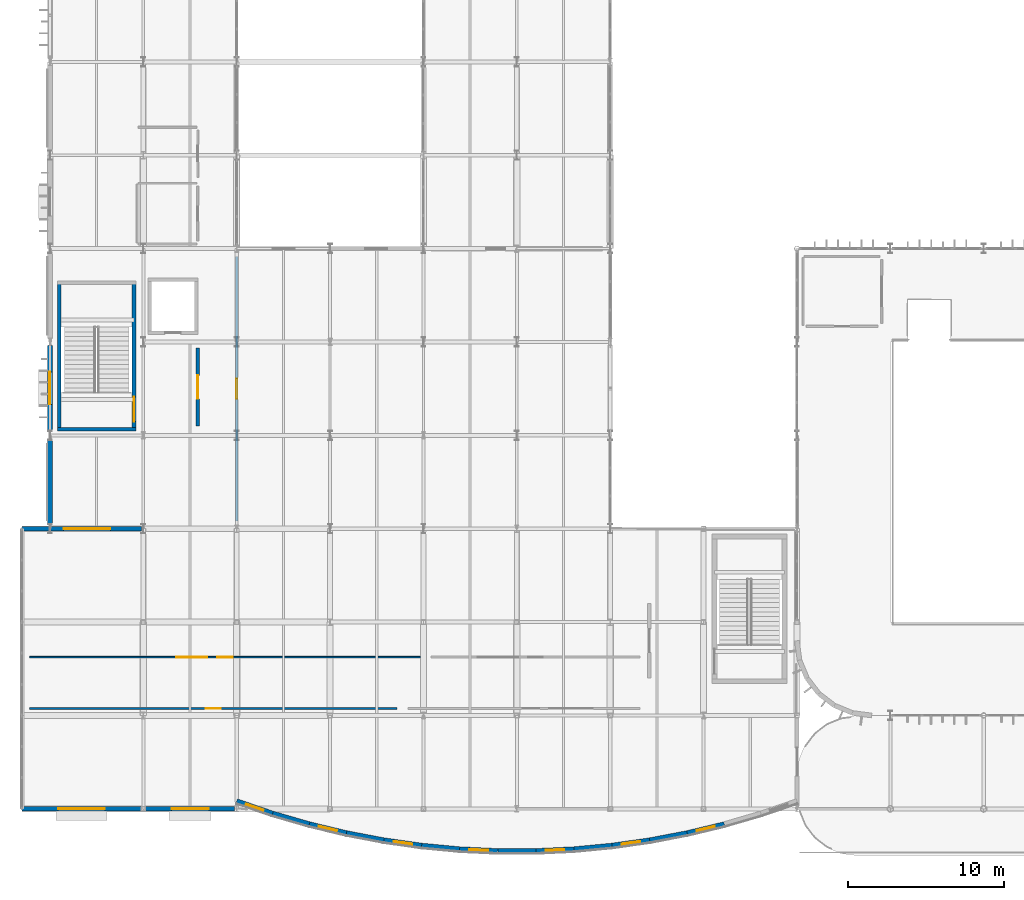
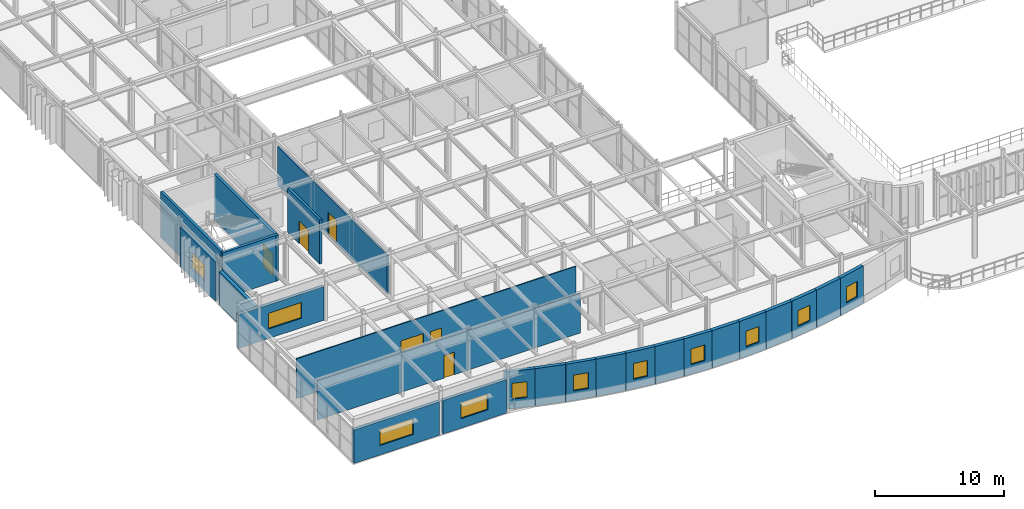
# One storey, part 62 of 96: 25 walls, 12 windows, 5 doors, 17 openings.
"""IFC4 building model written with IfcOpenShell, lengths in metres."""

from ifc_helpers import new_model, si_unit, direction, frame, frame_2d, origin, place, context, subcontext, project, spatial, rectangle, extrude, material, layer, layer_set, type_object, element, fill, save


model = new_model("IFC4")

# Units and contexts
model_context = context("Model", 3, precision=1e-05, world=origin(), true_north=direction((0.0, 1.0)))
body_context = subcontext(model_context, "Body", "Model", "MODEL_VIEW")
ifc_project = project(units=[si_unit("LENGTHUNIT", "METRE"), si_unit("AREAUNIT", "SQUARE_METRE"), si_unit("VOLUMEUNIT", "CUBIC_METRE"), si_unit("PLANEANGLEUNIT", "RADIAN"), si_unit("MASSUNIT", "GRAM", prefix="KILO")], contexts=[model_context])

# Site, building, storey
site_placement = place(None, origin())
site = spatial("IfcSite", under=ifc_project, at=site_placement, CompositionType="ELEMENT")
building_placement = place(site_placement, origin())
building = spatial("IfcBuilding", under=site, at=building_placement, Name="Varnakota Square Police Headquarters", CompositionType="ELEMENT")
storey_placement = place(building_placement, frame((0.0, 0.0, 4.800048828125)))
storey = spatial("IfcBuildingStorey", under=building, at=storey_placement, Name="L01", CompositionType="ELEMENT", Elevation=4.800048828125)

# Wall
ifc_material_1 = material(Name="Concrete M40", Category="concrete")
ifc_layer_1 = layer(ifc_material_1, 0.22998046875, Name="Concrete M40")
ifc_layer_set_1 = layer_set([ifc_layer_1], Name="Concrete M40")
wall_type_1 = type_object("IfcWallType", Name="WL-CORE-230", PredefinedType="SHEAR", material=ifc_layer_set_1)
wall_1_placement = place(storey_placement, frame((6.485107421875, 27.39990234375, 0.0), z_axis=(0.0, 0.0, 1.0), x_axis=(1.0, 0.0, 0.0)))
element("IfcWall", 1, at=wall_1_placement, inside=storey, type_object=wall_type_1, Name="Core C4 shear wall L01 S", PredefinedType="SHEAR", context=body_context, shape_type="SweptSolid", body=[
    extrude(rectangle(XDim=5.02978515625, YDim=0.22998046875, at=frame_2d((2.514892578125, 0.0))), origin(), (0.0, 0.0, 1.0), 4.35986328125),
])

# Wall, opening, door
wall_2_placement = place(storey_placement, frame((11.39990234375, 27.284912109375, 0.0), z_axis=(0.0, 0.0, 1.0), x_axis=(0.0, 1.0, 0.0)))
wall_2 = element("IfcWall", 2, at=wall_2_placement, inside=storey, type_object=wall_type_1, Name="Core C4 shear wall L01 E", PredefinedType="SHEAR", context=body_context, shape_type="SweptSolid", body=[
    extrude(rectangle(XDim=9.630126953125, YDim=0.22998046875, at=frame_2d((4.81494140625, 0.0))), origin(), (0.0, 0.0, 1.0), 4.35986328125),
])
opening_1_placement = place(wall_2_placement, frame((0.594970703125, 0.0, 0.0)))
opening_1 = element("IfcOpeningElement", 3, at=opening_1_placement, cuts=wall_2, Name="Opening SD066", PredefinedType="OPENING", context=body_context, shape_type="SweptSolid", body=[
    extrude(rectangle(XDim=1.60009765625, YDim=2.199951171875, at=frame_2d((0.800048828125, 1.10009765625))), frame((0.0, 0.125, 0.0), z_axis=(0.0, -1.0, 0.0), x_axis=(1.0, 0.0, 0.0)), (0.0, 0.0, 1.0), 0.25),
])
ifc_material_2 = material(Name="Powder-Coated Galvanised Steel", Category="steel")
door_type_1 = type_object("IfcDoorType", Name="DR-ST-160", OperationType="NOTDEFINED", PredefinedType="DOOR", material=ifc_material_2)
door_1_placement = place(opening_1_placement, origin())
door_1 = element("IfcDoor", 4, at=door_1_placement, inside=storey, type_object=door_type_1, Name="Protected stair door SD066", OperationType="DOUBLE_DOOR_SINGLE_SWING", OverallHeight=2.199951171875, OverallWidth=1.60009765625, PredefinedType="DOOR", context=body_context, shape_type="SweptSolid", body=[
    extrude(rectangle(XDim=1.60009765625, YDim=2.199951171875, at=frame_2d((0.800048828125, 1.10009765625))), frame((0.0, 0.02490234375, 0.0), z_axis=(0.0, -1.0, 0.0), x_axis=(1.0, 0.0, 0.0)), (0.0, 0.0, 1.0), 0.050048828125),
])
fill(opening_1, door_1)

# Wall
wall_3_placement = place(storey_placement, frame((6.60009765625, 36.9150390625, 0.0), z_axis=(0.0, 0.0, 1.0), x_axis=(0.0, -1.0, 0.0)))
element("IfcWall", 5, at=wall_3_placement, inside=storey, type_object=wall_type_1, Name="Core C4 shear wall L01 W", PredefinedType="SHEAR", context=body_context, shape_type="SweptSolid", body=[
    extrude(rectangle(XDim=9.630126953125, YDim=0.22998046875, at=frame_2d((4.81494140625, 0.0))), origin(), (0.0, 0.0, 1.0), 4.35986328125),
])

# Wall, opening, window
ifc_material_3 = material(Name="Precast concrete M40", Category="concrete")
ifc_layer_2 = layer(ifc_material_3, 0.300048828125, Name="Precast concrete M40")
ifc_layer_set_2 = layer_set([ifc_layer_2], Name="Precast concrete M40")
wall_type_2 = type_object("IfcWallType", Name="WL-EXT-300", PredefinedType="SOLIDWALL", material=ifc_layer_set_2)
wall_4_placement = place(storey_placement, frame((4.199951171875, 3.0, 0.0), z_axis=(0.0, 0.0, 1.0), x_axis=(1.0, 0.0, 0.0)))
wall_4 = element("IfcWall", 6, at=wall_4_placement, inside=storey, type_object=wall_type_2, Name="Exterior wall EW-L01-0088", PredefinedType="SOLIDWALL", context=body_context, shape_type="SweptSolid", body=[
    extrude(rectangle(XDim=7.64599609375, YDim=0.300048828125, at=frame_2d((3.822998046875, 0.0))), origin(), (0.0, 0.0, 1.0), 3.18994140625),
])
opening_2_placement = place(wall_4_placement, frame((2.322998046875, 0.0, 0.89990234375)))
opening_2 = element("IfcOpeningElement", 7, at=opening_2_placement, cuts=wall_4, Name="Opening W04", PredefinedType="OPENING", context=body_context, shape_type="SweptSolid", body=[
    extrude(rectangle(XDim=3.0, YDim=1.5, at=frame_2d((1.5, 0.75))), frame((0.0, 0.159912109375, 0.0), z_axis=(0.0, -1.0, 0.0), x_axis=(1.0, 0.0, 0.0)), (0.0, 0.0, 1.0), 0.320068359375),
])
ifc_material_4 = material(Name="Thermally Broken Aluminium Double-Glazed Window", Category="aluminium")
window_type_1 = type_object("IfcWindowType", Name="WIN-04", PartitioningType="SINGLE_PANEL", PredefinedType="WINDOW", material=ifc_material_4)
window_1_placement = place(opening_2_placement, origin())
window_1 = element("IfcWindow", 8, at=window_1_placement, inside=storey, type_object=window_type_1, Name="Window WN-L01-0001", OverallHeight=1.5, OverallWidth=3.0, PartitioningType="SINGLE_PANEL", PredefinedType="WINDOW", context=body_context, shape_type="SweptSolid", body=[
    extrude(rectangle(XDim=3.0, YDim=1.5, at=frame_2d((1.5, 0.75))), frame((0.0, 0.030029296875, 0.0), z_axis=(0.0, -1.0, 0.0), x_axis=(1.0, 0.0, 0.0)), (0.0, 0.0, 1.0), 0.06005859375),
])
fill(opening_2, window_1)

wall_5_placement = place(storey_placement, frame((12.154052734375, 3.0, 0.0), z_axis=(0.0, 0.0, 1.0), x_axis=(1.0, 0.0, 0.0)))
wall_5 = element("IfcWall", 9, at=wall_5_placement, inside=storey, type_object=wall_type_2, Name="Exterior wall EW-L01-0089", PredefinedType="SOLIDWALL", context=body_context, shape_type="SweptSolid", body=[
    extrude(rectangle(XDim=5.717041015625, YDim=0.300048828125, at=frame_2d((2.8583984375, 0.0))), origin(), (0.0, 0.0, 1.0), 3.18994140625),
])
opening_3_placement = place(wall_5_placement, frame((1.658447265625, 0.0, 0.89990234375)))
opening_3 = element("IfcOpeningElement", 10, at=opening_3_placement, cuts=wall_5, Name="Opening W02", PredefinedType="OPENING", context=body_context, shape_type="SweptSolid", body=[
    extrude(rectangle(XDim=2.39990234375, YDim=1.5, at=frame_2d((1.199951171875, 0.75))), frame((0.0, 0.159912109375, 0.0), z_axis=(0.0, -1.0, 0.0), x_axis=(1.0, 0.0, 0.0)), (0.0, 0.0, 1.0), 0.320068359375),
])
window_type_2 = type_object("IfcWindowType", Name="WIN-02", PartitioningType="SINGLE_PANEL", PredefinedType="WINDOW", material=ifc_material_4)
window_2_placement = place(opening_3_placement, origin())
window_2 = element("IfcWindow", 11, at=window_2_placement, inside=storey, type_object=window_type_2, Name="Window WN-L01-0002", OverallHeight=1.5, OverallWidth=2.39990234375, PartitioningType="SINGLE_PANEL", PredefinedType="WINDOW", context=body_context, shape_type="SweptSolid", body=[
    extrude(rectangle(XDim=2.39990234375, YDim=1.5, at=frame_2d((1.199951171875, 0.75))), frame((0.0, 0.030029296875, 0.0), z_axis=(0.0, -1.0, 0.0), x_axis=(1.0, 0.0, 0.0)), (0.0, 0.0, 1.0), 0.06005859375),
])
fill(opening_3, window_2)

wall_6_placement = place(storey_placement, frame((4.199951171875, 21.0, 0.0), z_axis=(0.0, 0.0, 1.0), x_axis=(1.0, 0.0, 0.0)))
wall_6 = element("IfcWall", 12, at=wall_6_placement, inside=storey, type_object=wall_type_2, Name="Exterior wall EW-L01-0090", PredefinedType="SOLIDWALL", context=body_context, shape_type="SweptSolid", body=[
    extrude(rectangle(XDim=7.671142578125, YDim=0.300048828125, at=frame_2d((3.83544921875, 0.0))), origin(), (0.0, 0.0, 1.0), 3.18994140625),
])
opening_4_placement = place(wall_6_placement, frame((2.685546875, 0.0, 0.89990234375)))
opening_4 = element("IfcOpeningElement", 13, at=opening_4_placement, cuts=wall_6, Name="Opening W04", PredefinedType="OPENING", context=body_context, shape_type="SweptSolid", body=[
    extrude(rectangle(XDim=3.0, YDim=1.5, at=frame_2d((1.5, 0.75))), frame((0.0, 0.159912109375, 0.0), z_axis=(0.0, -1.0, 0.0), x_axis=(1.0, 0.0, 0.0)), (0.0, 0.0, 1.0), 0.320068359375),
])
window_3_placement = place(opening_4_placement, origin())
window_3 = element("IfcWindow", 14, at=window_3_placement, inside=storey, type_object=window_type_1, Name="Window WN-L01-0003", OverallHeight=1.5, OverallWidth=3.0, PartitioningType="SINGLE_PANEL", PredefinedType="WINDOW", context=body_context, shape_type="SweptSolid", body=[
    extrude(rectangle(XDim=3.0, YDim=1.5, at=frame_2d((1.5, 0.75))), frame((0.0, 0.030029296875, 0.0), z_axis=(0.0, -1.0, 0.0), x_axis=(1.0, 0.0, 0.0)), (0.0, 0.0, 1.0), 0.06005859375),
])
fill(opening_4, window_3)

wall_7_placement = place(storey_placement, frame((18.0, 3.5, 0.0), z_axis=(0.0, 0.0, 1.0), x_axis=(0.946091693708, -0.323898914937, 0.0)))
wall_7 = element("IfcWall", 15, at=wall_7_placement, inside=storey, type_object=wall_type_2, Name="Sweeping colonnade precast chord wall 01", PredefinedType="SOLIDWALL", context=body_context, shape_type="SweptSolid", body=[
    extrude(rectangle(XDim=2.450439453125, YDim=0.300048828125, at=frame_2d((1.22509765625, 0.0))), origin(), (0.0, 0.0, 1.0), 3.550048828125),
])
opening_5_placement = place(wall_7_placement, frame((0.625244140625, 0.0, 0.89990234375)))
opening_5 = element("IfcOpeningElement", 16, at=opening_5_placement, cuts=wall_7, Name="Opening W03", PredefinedType="OPENING", context=body_context, shape_type="SweptSolid", body=[
    extrude(rectangle(XDim=1.199951171875, YDim=1.5, at=frame_2d((0.60009765625, 0.75))), frame((0.0, 0.159912109375, 0.0), z_axis=(0.0, -1.0, 0.0), x_axis=(1.0, 0.0, 0.0)), (0.0, 0.0, 1.0), 0.320068359375),
])
window_type_3 = type_object("IfcWindowType", Name="WIN-03", PartitioningType="SINGLE_PANEL", PredefinedType="WINDOW", material=ifc_material_4)
window_4_placement = place(opening_5_placement, origin())
window_4 = element("IfcWindow", 17, at=window_4_placement, inside=storey, type_object=window_type_3, Name="Colonnade curve window 01", OverallHeight=1.5, OverallWidth=1.199951171875, PartitioningType="SINGLE_PANEL", PredefinedType="WINDOW", context=body_context, shape_type="SweptSolid", body=[
    extrude(rectangle(XDim=1.199951171875, YDim=1.5, at=frame_2d((0.60009765625, 0.75))), frame((0.0, 0.030029296875, 0.0), z_axis=(0.0, -1.0, 0.0), x_axis=(1.0, 0.0, 0.0)), (0.0, 0.0, 1.0), 0.06005859375),
])
fill(opening_5, window_4)

# Wall
wall_8_placement = place(storey_placement, frame((20.318359375, 2.706298828125, 0.0), z_axis=(0.0, 0.0, 1.0), x_axis=(0.960269600698, -0.279073993728, 0.0)))
element("IfcWall", 18, at=wall_8_placement, inside=storey, type_object=wall_type_2, Name="Sweeping colonnade precast chord wall 02", PredefinedType="SOLIDWALL", context=body_context, shape_type="SweptSolid", body=[
    extrude(rectangle(XDim=2.450439453125, YDim=0.300048828125, at=frame_2d((1.22509765625, 0.0))), origin(), (0.0, 0.0, 1.0), 3.550048828125),
])

# Wall, opening, window
wall_9_placement = place(storey_placement, frame((22.67138671875, 2.0224609375, 0.0), z_axis=(0.0, 0.0, 1.0), x_axis=(0.97235111742, -0.233523670003, 0.0)))
wall_9 = element("IfcWall", 19, at=wall_9_placement, inside=storey, type_object=wall_type_2, Name="Sweeping colonnade precast chord wall 03", PredefinedType="SOLIDWALL", context=body_context, shape_type="SweptSolid", body=[
    extrude(rectangle(XDim=2.45068359375, YDim=0.300048828125, at=frame_2d((1.225341796875, 0.0))), origin(), (0.0, 0.0, 1.0), 3.550048828125),
])
opening_6_placement = place(wall_9_placement, frame((0.625244140625, 0.0, 0.89990234375)))
opening_6 = element("IfcOpeningElement", 20, at=opening_6_placement, cuts=wall_9, Name="Opening W03", PredefinedType="OPENING", context=body_context, shape_type="SweptSolid", body=[
    extrude(rectangle(XDim=1.199951171875, YDim=1.5, at=frame_2d((0.60009765625, 0.75))), frame((0.0, 0.159912109375, 0.0), z_axis=(0.0, -1.0, 0.0), x_axis=(1.0, 0.0, 0.0)), (0.0, 0.0, 1.0), 0.320068359375),
])
window_5_placement = place(opening_6_placement, origin())
window_5 = element("IfcWindow", 21, at=window_5_placement, inside=storey, type_object=window_type_3, Name="Colonnade curve window 03", OverallHeight=1.5, OverallWidth=1.199951171875, PartitioningType="SINGLE_PANEL", PredefinedType="WINDOW", context=body_context, shape_type="SweptSolid", body=[
    extrude(rectangle(XDim=1.199951171875, YDim=1.5, at=frame_2d((0.60009765625, 0.75))), frame((0.0, 0.030029296875, 0.0), z_axis=(0.0, -1.0, 0.0), x_axis=(1.0, 0.0, 0.0)), (0.0, 0.0, 1.0), 0.06005859375),
])
fill(opening_6, window_5)

# Wall
wall_10_placement = place(storey_placement, frame((25.05419921875, 1.4501953125, 0.0), z_axis=(0.0, 0.0, 1.0), x_axis=(0.982300174351, -0.187313553888, 0.0)))
element("IfcWall", 22, at=wall_10_placement, inside=storey, type_object=wall_type_2, Name="Sweeping colonnade precast chord wall 04", PredefinedType="SOLIDWALL", context=body_context, shape_type="SweptSolid", body=[
    extrude(rectangle(XDim=2.450439453125, YDim=0.300048828125, at=frame_2d((1.22509765625, 0.0))), origin(), (0.0, 0.0, 1.0), 3.550048828125),
])

# Wall, opening, window
wall_11_placement = place(storey_placement, frame((27.461181640625, 0.9912109375, 0.0), z_axis=(0.0, 0.0, 1.0), x_axis=(0.990015135316, -0.14096110047, 0.0)))
wall_11 = element("IfcWall", 23, at=wall_11_placement, inside=storey, type_object=wall_type_2, Name="Sweeping colonnade precast chord wall 05", PredefinedType="SOLIDWALL", context=body_context, shape_type="SweptSolid", body=[
    extrude(rectangle(XDim=2.45068359375, YDim=0.300048828125, at=frame_2d((1.225341796875, 0.0))), origin(), (0.0, 0.0, 1.0), 3.550048828125),
])
opening_7_placement = place(wall_11_placement, frame((0.625244140625, 0.0, 0.89990234375)))
opening_7 = element("IfcOpeningElement", 24, at=opening_7_placement, cuts=wall_11, Name="Opening W03", PredefinedType="OPENING", context=body_context, shape_type="SweptSolid", body=[
    extrude(rectangle(XDim=1.199951171875, YDim=1.5, at=frame_2d((0.60009765625, 0.75))), frame((0.0, 0.159912109375, 0.0), z_axis=(0.0, -1.0, 0.0), x_axis=(1.0, 0.0, 0.0)), (0.0, 0.0, 1.0), 0.320068359375),
])
window_6_placement = place(opening_7_placement, origin())
window_6 = element("IfcWindow", 25, at=window_6_placement, inside=storey, type_object=window_type_3, Name="Colonnade curve window 05", OverallHeight=1.5, OverallWidth=1.199951171875, PartitioningType="SINGLE_PANEL", PredefinedType="WINDOW", context=body_context, shape_type="SweptSolid", body=[
    extrude(rectangle(XDim=1.199951171875, YDim=1.5, at=frame_2d((0.60009765625, 0.75))), frame((0.0, 0.030029296875, 0.0), z_axis=(0.0, -1.0, 0.0), x_axis=(1.0, 0.0, 0.0)), (0.0, 0.0, 1.0), 0.06005859375),
])
fill(opening_7, window_6)

# Wall
wall_12_placement = place(storey_placement, frame((29.887451171875, 0.645751953125, 0.0), z_axis=(0.0, 0.0, 1.0), x_axis=(0.995557502229, -0.094155508367, 0.0)))
element("IfcWall", 26, at=wall_12_placement, inside=storey, type_object=wall_type_2, Name="Sweeping colonnade precast chord wall 06", PredefinedType="SOLIDWALL", context=body_context, shape_type="SweptSolid", body=[
    extrude(rectangle(XDim=2.450439453125, YDim=0.300048828125, at=frame_2d((1.22509765625, 0.0))), origin(), (0.0, 0.0, 1.0), 3.550048828125),
])

# Wall, opening, window
wall_13_placement = place(storey_placement, frame((32.326904296875, 0.4150390625, 0.0), z_axis=(0.0, 0.0, 1.0), x_axis=(0.998893908761, -0.047020836236, 0.0)))
wall_13 = element("IfcWall", 27, at=wall_13_placement, inside=storey, type_object=wall_type_2, Name="Sweeping colonnade precast chord wall 07", PredefinedType="SOLIDWALL", context=body_context, shape_type="SweptSolid", body=[
    extrude(rectangle(XDim=2.45068359375, YDim=0.300048828125, at=frame_2d((1.225341796875, 0.0))), origin(), (0.0, 0.0, 1.0), 3.550048828125),
])
opening_8_placement = place(wall_13_placement, frame((0.625244140625, 0.0, 0.89990234375)))
opening_8 = element("IfcOpeningElement", 28, at=opening_8_placement, cuts=wall_13, Name="Opening W03", PredefinedType="OPENING", context=body_context, shape_type="SweptSolid", body=[
    extrude(rectangle(XDim=1.199951171875, YDim=1.5, at=frame_2d((0.60009765625, 0.75))), frame((0.0, 0.159912109375, 0.0), z_axis=(0.0, -1.0, 0.0), x_axis=(1.0, 0.0, 0.0)), (0.0, 0.0, 1.0), 0.320068359375),
])
window_7_placement = place(opening_8_placement, origin())
window_7 = element("IfcWindow", 29, at=window_7_placement, inside=storey, type_object=window_type_3, Name="Colonnade curve window 07", OverallHeight=1.5, OverallWidth=1.199951171875, PartitioningType="SINGLE_PANEL", PredefinedType="WINDOW", context=body_context, shape_type="SweptSolid", body=[
    extrude(rectangle(XDim=1.199951171875, YDim=1.5, at=frame_2d((0.60009765625, 0.75))), frame((0.0, 0.030029296875, 0.0), z_axis=(0.0, -1.0, 0.0), x_axis=(1.0, 0.0, 0.0)), (0.0, 0.0, 1.0), 0.06005859375),
])
fill(opening_8, window_7)

# Wall
wall_14_placement = place(storey_placement, frame((34.77490234375, 0.2998046875, 0.0), z_axis=(0.0, 0.0, 1.0), x_axis=(1.0, 0.0, 0.0)))
element("IfcWall", 30, at=wall_14_placement, inside=storey, type_object=wall_type_2, Name="Sweeping colonnade precast chord wall 08", PredefinedType="SOLIDWALL", context=body_context, shape_type="SweptSolid", body=[
    extrude(rectangle(XDim=2.4501953125, YDim=0.300048828125, at=frame_2d((1.22509765625, 0.0))), origin(), (0.0, 0.0, 1.0), 3.550048828125),
])

# Wall, opening, window
wall_15_placement = place(storey_placement, frame((37.22509765625, 0.2998046875, 0.0), z_axis=(0.0, 0.0, 1.0), x_axis=(0.998893908761, 0.047020836236, 0.0)))
wall_15 = element("IfcWall", 31, at=wall_15_placement, inside=storey, type_object=wall_type_2, Name="Sweeping colonnade precast chord wall 09", PredefinedType="SOLIDWALL", context=body_context, shape_type="SweptSolid", body=[
    extrude(rectangle(XDim=2.45068359375, YDim=0.300048828125, at=frame_2d((1.225341796875, 0.0))), origin(), (0.0, 0.0, 1.0), 3.550048828125),
])
opening_9_placement = place(wall_15_placement, frame((0.625244140625, 0.0, 0.89990234375)))
opening_9 = element("IfcOpeningElement", 32, at=opening_9_placement, cuts=wall_15, Name="Opening W03", PredefinedType="OPENING", context=body_context, shape_type="SweptSolid", body=[
    extrude(rectangle(XDim=1.199951171875, YDim=1.5, at=frame_2d((0.60009765625, 0.75))), frame((0.0, 0.159912109375, 0.0), z_axis=(0.0, -1.0, 0.0), x_axis=(1.0, 0.0, 0.0)), (0.0, 0.0, 1.0), 0.320068359375),
])
window_8_placement = place(opening_9_placement, origin())
window_8 = element("IfcWindow", 33, at=window_8_placement, inside=storey, type_object=window_type_3, Name="Colonnade curve window 09", OverallHeight=1.5, OverallWidth=1.199951171875, PartitioningType="SINGLE_PANEL", PredefinedType="WINDOW", context=body_context, shape_type="SweptSolid", body=[
    extrude(rectangle(XDim=1.199951171875, YDim=1.5, at=frame_2d((0.60009765625, 0.75))), frame((0.0, 0.030029296875, 0.0), z_axis=(0.0, -1.0, 0.0), x_axis=(1.0, 0.0, 0.0)), (0.0, 0.0, 1.0), 0.06005859375),
])
fill(opening_9, window_8)

# Wall
wall_16_placement = place(storey_placement, frame((39.673095703125, 0.4150390625, 0.0), z_axis=(0.0, 0.0, 1.0), x_axis=(0.995557502229, 0.094155508367, 0.0)))
element("IfcWall", 34, at=wall_16_placement, inside=storey, type_object=wall_type_2, Name="Sweeping colonnade precast chord wall 10", PredefinedType="SOLIDWALL", context=body_context, shape_type="SweptSolid", body=[
    extrude(rectangle(XDim=2.450439453125, YDim=0.300048828125, at=frame_2d((1.22509765625, 0.0))), origin(), (0.0, 0.0, 1.0), 3.550048828125),
])

# Wall, opening, window
wall_17_placement = place(storey_placement, frame((42.112548828125, 0.645751953125, 0.0), z_axis=(0.0, 0.0, 1.0), x_axis=(0.990015135316, 0.14096110047, 0.0)))
wall_17 = element("IfcWall", 35, at=wall_17_placement, inside=storey, type_object=wall_type_2, Name="Sweeping colonnade precast chord wall 11", PredefinedType="SOLIDWALL", context=body_context, shape_type="SweptSolid", body=[
    extrude(rectangle(XDim=2.45068359375, YDim=0.300048828125, at=frame_2d((1.225341796875, 0.0))), origin(), (0.0, 0.0, 1.0), 3.550048828125),
])
opening_10_placement = place(wall_17_placement, frame((0.625244140625, 0.0, 0.89990234375)))
opening_10 = element("IfcOpeningElement", 36, at=opening_10_placement, cuts=wall_17, Name="Opening W03", PredefinedType="OPENING", context=body_context, shape_type="SweptSolid", body=[
    extrude(rectangle(XDim=1.199951171875, YDim=1.5, at=frame_2d((0.60009765625, 0.75))), frame((0.0, 0.159912109375, 0.0), z_axis=(0.0, -1.0, 0.0), x_axis=(1.0, 0.0, 0.0)), (0.0, 0.0, 1.0), 0.320068359375),
])
window_9_placement = place(opening_10_placement, origin())
window_9 = element("IfcWindow", 37, at=window_9_placement, inside=storey, type_object=window_type_3, Name="Colonnade curve window 11", OverallHeight=1.5, OverallWidth=1.199951171875, PartitioningType="SINGLE_PANEL", PredefinedType="WINDOW", context=body_context, shape_type="SweptSolid", body=[
    extrude(rectangle(XDim=1.199951171875, YDim=1.5, at=frame_2d((0.60009765625, 0.75))), frame((0.0, 0.030029296875, 0.0), z_axis=(0.0, -1.0, 0.0), x_axis=(1.0, 0.0, 0.0)), (0.0, 0.0, 1.0), 0.06005859375),
])
fill(opening_10, window_9)

# Wall
wall_18_placement = place(storey_placement, frame((44.538818359375, 0.9912109375, 0.0), z_axis=(0.0, 0.0, 1.0), x_axis=(0.982300174351, 0.187313553888, 0.0)))
element("IfcWall", 38, at=wall_18_placement, inside=storey, type_object=wall_type_2, Name="Sweeping colonnade precast chord wall 12", PredefinedType="SOLIDWALL", context=body_context, shape_type="SweptSolid", body=[
    extrude(rectangle(XDim=2.450439453125, YDim=0.300048828125, at=frame_2d((1.22509765625, 0.0))), origin(), (0.0, 0.0, 1.0), 3.550048828125),
])

# Wall, opening, window
wall_19_placement = place(storey_placement, frame((46.94580078125, 1.4501953125, 0.0), z_axis=(0.0, 0.0, 1.0), x_axis=(0.97235111742, 0.233523670003, 0.0)))
wall_19 = element("IfcWall", 39, at=wall_19_placement, inside=storey, type_object=wall_type_2, Name="Sweeping colonnade precast chord wall 13", PredefinedType="SOLIDWALL", context=body_context, shape_type="SweptSolid", body=[
    extrude(rectangle(XDim=2.45068359375, YDim=0.300048828125, at=frame_2d((1.225341796875, 0.0))), origin(), (0.0, 0.0, 1.0), 3.550048828125),
])
opening_11_placement = place(wall_19_placement, frame((0.625244140625, 0.0, 0.89990234375)))
opening_11 = element("IfcOpeningElement", 40, at=opening_11_placement, cuts=wall_19, Name="Opening W03", PredefinedType="OPENING", context=body_context, shape_type="SweptSolid", body=[
    extrude(rectangle(XDim=1.199951171875, YDim=1.5, at=frame_2d((0.60009765625, 0.75))), frame((0.0, 0.159912109375, 0.0), z_axis=(0.0, -1.0, 0.0), x_axis=(1.0, 0.0, 0.0)), (0.0, 0.0, 1.0), 0.320068359375),
])
window_10_placement = place(opening_11_placement, origin())
window_10 = element("IfcWindow", 41, at=window_10_placement, inside=storey, type_object=window_type_3, Name="Colonnade curve window 13", OverallHeight=1.5, OverallWidth=1.199951171875, PartitioningType="SINGLE_PANEL", PredefinedType="WINDOW", context=body_context, shape_type="SweptSolid", body=[
    extrude(rectangle(XDim=1.199951171875, YDim=1.5, at=frame_2d((0.60009765625, 0.75))), frame((0.0, 0.030029296875, 0.0), z_axis=(0.0, -1.0, 0.0), x_axis=(1.0, 0.0, 0.0)), (0.0, 0.0, 1.0), 0.06005859375),
])
fill(opening_11, window_10)

# Wall
wall_20_placement = place(storey_placement, frame((6.0, 21.303955078125, 0.0), z_axis=(0.0, 0.0, 1.0), x_axis=(0.0, 1.0, 0.0)))
element("IfcWall", 42, at=wall_20_placement, inside=storey, type_object=wall_type_2, Name="Exterior wall EW-L01-0398", PredefinedType="SOLIDWALL", context=body_context, shape_type="SweptSolid", body=[
    extrude(rectangle(XDim=5.39208984375, YDim=0.300048828125, at=frame_2d((2.696044921875, 0.0))), origin(), (0.0, 0.0, 1.0), 3.18994140625),
])

# Wall, opening, window
wall_21_placement = place(storey_placement, frame((6.0, 27.303955078125, 0.0), z_axis=(0.0, 0.0, 1.0), x_axis=(0.0, 1.0, 0.0)))
wall_21 = element("IfcWall", 43, at=wall_21_placement, inside=storey, type_object=wall_type_2, Name="Exterior wall EW-L01-0399", PredefinedType="SOLIDWALL", context=body_context, shape_type="SweptSolid", body=[
    extrude(rectangle(XDim=5.467041015625, YDim=0.300048828125, at=frame_2d((2.7333984375, 0.0))), origin(), (0.0, 0.0, 1.0), 3.739990234375),
])
opening_12_placement = place(wall_21_placement, frame((1.68359375, 0.0, 0.89990234375)))
opening_12 = element("IfcOpeningElement", 44, at=opening_12_placement, cuts=wall_21, Name="Opening W08", PredefinedType="OPENING", context=body_context, shape_type="SweptSolid", body=[
    extrude(rectangle(XDim=2.10009765625, YDim=1.5, at=frame_2d((1.050048828125, 0.75))), frame((0.0, 0.159912109375, 0.0), z_axis=(0.0, -1.0, 0.0), x_axis=(1.0, 0.0, 0.0)), (0.0, 0.0, 1.0), 0.320068359375),
])
window_type_4 = type_object("IfcWindowType", Name="WIN-08", PartitioningType="SINGLE_PANEL", PredefinedType="WINDOW", material=ifc_material_4)
window_11_placement = place(opening_12_placement, origin())
window_11 = element("IfcWindow", 45, at=window_11_placement, inside=storey, type_object=window_type_4, Name="Window WN-L01-0073", OverallHeight=1.5, OverallWidth=2.10009765625, PartitioningType="SINGLE_PANEL", PredefinedType="WINDOW", context=body_context, shape_type="SweptSolid", body=[
    extrude(rectangle(XDim=2.10009765625, YDim=1.5, at=frame_2d((1.050048828125, 0.75))), frame((0.0, 0.030029296875, 0.0), z_axis=(0.0, -1.0, 0.0), x_axis=(1.0, 0.0, 0.0)), (0.0, 0.0, 1.0), 0.06005859375),
])
fill(opening_12, window_11)

# Wall, openings, door, window
ifc_material_5 = material(Name="Lightweight Demountable Office Partition", Category="gypsum")
ifc_layer_3 = layer(ifc_material_5, 0.094970703125, Name="Lightweight Demountable Office Partition")
ifc_layer_set_3 = layer_set([ifc_layer_3], Name="Lightweight Demountable Office Partition")
wall_type_3 = type_object("IfcWallType", Name="WL-PRT-095", PredefinedType="PARTITIONING", material=ifc_layer_set_3)
wall_22_placement = place(storey_placement, frame((29.800048828125, 12.75, 0.0), z_axis=(0.0, 0.0, 1.0), x_axis=(-1.0, 0.0, 0.0)))
wall_22 = element("IfcWall", 46, at=wall_22_placement, inside=storey, type_object=wall_type_3, Name="Interior partition PW-L01-0093 (Citizen Licensing Consultation Suite)", PredefinedType="PARTITIONING", context=body_context, shape_type="SweptSolid", body=[
    extrude(rectangle(XDim=25.10009765625, YDim=0.094970703125, at=frame_2d((12.550048828125, 0.0))), origin(), (0.0, 0.0, 1.0), 3.783447265625),
])
opening_13_placement = place(wall_22_placement, frame((12.050048828125, 0.0, 0.0)))
opening_13 = element("IfcOpeningElement", 47, at=opening_13_placement, cuts=wall_22, Name="Opening D199", PredefinedType="OPENING", context=body_context, shape_type="SweptSolid", body=[
    extrude(rectangle(XDim=1.0, YDim=2.14990234375, at=frame_2d((0.5, 1.074951171875))), frame((0.0, 0.057373046875, 0.0), z_axis=(0.0, -1.0, 0.0), x_axis=(1.0, 0.0, 0.0)), (0.0, 0.0, 1.0), 0.114990234375),
])
opening_14_placement = place(wall_22_placement, frame((13.699951171875, 0.0, 1.0)))
opening_14 = element("IfcOpeningElement", 48, at=opening_14_placement, cuts=wall_22, Name="Opening IW01", PredefinedType="OPENING", context=body_context, shape_type="SweptSolid", body=[
    extrude(rectangle(XDim=2.0, YDim=1.199951171875, at=frame_2d((1.0, 0.60009765625))), frame((0.0, 0.057373046875, 0.0), z_axis=(0.0, -1.0, 0.0), x_axis=(1.0, 0.0, 0.0)), (0.0, 0.0, 1.0), 0.114990234375),
])
ifc_material_6 = material(Name="Solid-Core Teak Veneer Hardwood", Category="wood")
door_type_2 = type_object("IfcDoorType", Name="DR-OFF-100", OperationType="NOTDEFINED", PredefinedType="DOOR", material=ifc_material_6)
door_2_placement = place(opening_13_placement, origin())
door_2 = element("IfcDoor", 49, at=door_2_placement, inside=storey, type_object=door_type_2, Name="Room door D199 (Citizen Licensing Consultation Suite)", OperationType="SINGLE_SWING_RIGHT", OverallHeight=2.14990234375, OverallWidth=1.0, PredefinedType="DOOR", context=body_context, shape_type="SweptSolid", body=[
    extrude(rectangle(XDim=1.0, YDim=2.14990234375, at=frame_2d((0.5, 1.074951171875))), frame((0.0, 0.02490234375, 0.0), z_axis=(0.0, -1.0, 0.0), x_axis=(1.0, 0.0, 0.0)), (0.0, 0.0, 1.0), 0.050048828125),
])
fill(opening_13, door_2)
ifc_material_7 = material(Name="Acoustic Laminated Interior Vision Glazing", Category="glass")
window_type_5 = type_object("IfcWindowType", Name="WIN-INT-01", PartitioningType="SINGLE_PANEL", PredefinedType="WINDOW", material=ifc_material_7)
window_12_placement = place(opening_14_placement, origin())
window_12 = element("IfcWindow", 50, at=window_12_placement, inside=storey, type_object=window_type_5, Name="Interior observation window IWN-L01-017", OverallHeight=1.199951171875, OverallWidth=2.0, PartitioningType="SINGLE_PANEL", PredefinedType="WINDOW", context=body_context, shape_type="SweptSolid", body=[
    extrude(rectangle(XDim=2.0, YDim=1.199951171875, at=frame_2d((1.0, 0.60009765625))), frame((0.0, 0.030029296875, 0.0), z_axis=(0.0, -1.0, 0.0), x_axis=(1.0, 0.0, 0.0)), (0.0, 0.0, 1.0), 0.06005859375),
])
fill(opening_14, window_12)

# Wall, opening, door
ifc_material_8 = material(Name="Acoustic Insulated Metal-Stud Partition", Category="gypsum")
ifc_layer_4 = layer(ifc_material_8, 0.139892578125, Name="Acoustic Insulated Metal-Stud Partition")
ifc_layer_set_4 = layer_set([ifc_layer_4], Name="Acoustic Insulated Metal-Stud Partition")
wall_type_4 = type_object("IfcWallType", Name="WL-PRT-140", PredefinedType="PARTITIONING", material=ifc_layer_set_4)
wall_23_placement = place(storey_placement, frame((4.699951171875, 9.449951171875, 0.0), z_axis=(0.0, 0.0, 1.0), x_axis=(1.0, 0.0, 0.0)))
wall_23 = element("IfcWall", 51, at=wall_23_placement, inside=storey, type_object=wall_type_4, Name="Interior partition PW-L01-0091 (Traffic Coordination Office)", PredefinedType="PARTITIONING", context=body_context, shape_type="SweptSolid", body=[
    extrude(rectangle(XDim=23.60009765625, YDim=0.139892578125, at=frame_2d((11.800048828125, 0.0))), origin(), (0.0, 0.0, 1.0), 3.783447265625),
])
opening_15_placement = place(wall_23_placement, frame((11.324951171875, 0.0, 0.0)))
opening_15 = element("IfcOpeningElement", 52, at=opening_15_placement, cuts=wall_23, Name="Opening D197", PredefinedType="OPENING", context=body_context, shape_type="SweptSolid", body=[
    extrude(rectangle(XDim=0.949951171875, YDim=2.14990234375, at=frame_2d((0.47509765625, 1.074951171875))), frame((0.0, 0.079833984375, 0.0), z_axis=(0.0, -1.0, 0.0), x_axis=(1.0, 0.0, 0.0)), (0.0, 0.0, 1.0), 0.159912109375),
])
door_type_3 = type_object("IfcDoorType", Name="DR-OFF-095", OperationType="NOTDEFINED", PredefinedType="DOOR", material=ifc_material_6)
door_3_placement = place(opening_15_placement, origin())
door_3 = element("IfcDoor", 53, at=door_3_placement, inside=storey, type_object=door_type_3, Name="Room door D197 (Traffic Coordination Office)", OperationType="SINGLE_SWING_RIGHT", OverallHeight=2.14990234375, OverallWidth=0.949951171875, PredefinedType="DOOR", context=body_context, shape_type="SweptSolid", body=[
    extrude(rectangle(XDim=0.949951171875, YDim=2.14990234375, at=frame_2d((0.47509765625, 1.074951171875))), frame((0.0, 0.02490234375, 0.0), z_axis=(0.0, -1.0, 0.0), x_axis=(1.0, 0.0, 0.0)), (0.0, 0.0, 1.0), 0.050048828125),
])
fill(opening_15, door_3)

ifc_material_9 = material(Name="Fire-Rated Double Gypsum Stud Partition", Category="gypsum")
ifc_layer_5 = layer(ifc_material_9, 0.1650390625, Name="Fire-Rated Double Gypsum Stud Partition")
ifc_layer_set_5 = layer_set([ifc_layer_5], Name="Fire-Rated Double Gypsum Stud Partition")
wall_type_5 = type_object("IfcWallType", Name="WL-PRT-165F", PredefinedType="PARTITIONING", material=ifc_layer_set_5)
wall_24_placement = place(storey_placement, frame((18.0, 21.5, 0.0), z_axis=(0.0, 0.0, 1.0), x_axis=(0.0, 1.0, 0.0)))
wall_24 = element("IfcWall", 54, at=wall_24_placement, inside=storey, type_object=wall_type_5, Name="Interior partition PW-L01-0100 (Forensic Casework Registration Laboratory)", PredefinedType="PARTITIONING", context=body_context, shape_type="SweptSolid", body=[
    extrude(rectangle(XDim=17.0, YDim=0.1650390625, at=frame_2d((8.5, 0.0))), origin(), (0.0, 0.0, 1.0), 3.68994140625),
])
opening_16_placement = place(wall_24_placement, frame((7.85009765625, 0.0, 0.0)))
opening_16 = element("IfcOpeningElement", 55, at=opening_16_placement, cuts=wall_24, Name="Opening D206", PredefinedType="OPENING", context=body_context, shape_type="SweptSolid", body=[
    extrude(rectangle(XDim=1.300048828125, YDim=2.199951171875, at=frame_2d((0.64990234375, 1.10009765625))), frame((0.0, 0.092529296875, 0.0), z_axis=(0.0, -1.0, 0.0), x_axis=(1.0, 0.0, 0.0)), (0.0, 0.0, 1.0), 0.18505859375),
])
ifc_material_10 = material(Name="Epoxy-Coated Hermetic Galvanised Steel", Category="steel")
door_type_4 = type_object("IfcDoorType", Name="DR-LAB-130", OperationType="NOTDEFINED", PredefinedType="DOOR", material=ifc_material_10)
door_4_placement = place(opening_16_placement, origin())
door_4 = element("IfcDoor", 56, at=door_4_placement, inside=storey, type_object=door_type_4, Name="Room door D206 (Forensic Casework Registration Laboratory)", OperationType="SINGLE_SWING_RIGHT", OverallHeight=2.199951171875, OverallWidth=1.300048828125, PredefinedType="DOOR", context=body_context, shape_type="SweptSolid", body=[
    extrude(rectangle(XDim=1.300048828125, YDim=2.199951171875, at=frame_2d((0.64990234375, 1.10009765625))), frame((0.0, 0.02490234375, 0.0), z_axis=(0.0, -1.0, 0.0), x_axis=(1.0, 0.0, 0.0)), (0.0, 0.0, 1.0), 0.050048828125),
])
fill(opening_16, door_4)

ifc_layer_6 = layer(ifc_material_1, 0.215087890625, Name="Concrete M40")
ifc_layer_set_6 = layer_set([ifc_layer_6], Name="Concrete M40")
wall_type_6 = type_object("IfcWallType", Name="WL-PRT-215F", PredefinedType="PARTITIONING", material=ifc_layer_set_6)
wall_25_placement = place(storey_placement, frame((15.5, 27.60009765625, 0.0), z_axis=(0.0, 0.0, 1.0), x_axis=(0.0, 1.0, 0.0)))
wall_25 = element("IfcWall", 57, at=wall_25_placement, inside=storey, type_object=wall_type_6, Name="Core C4 lobby fire partition L01", PredefinedType="PARTITIONING", context=body_context, shape_type="SweptSolid", body=[
    extrude(rectangle(XDim=5.0, YDim=0.215087890625, at=frame_2d((2.5, 0.0))), origin(), (0.0, 0.0, 1.0), 4.18994140625),
])
opening_17_placement = place(wall_25_placement, frame((1.75, 0.0, 0.0)))
opening_17 = element("IfcOpeningElement", 58, at=opening_17_placement, cuts=wall_25, Name="Opening FD072", PredefinedType="OPENING", context=body_context, shape_type="SweptSolid", body=[
    extrude(rectangle(XDim=1.5, YDim=2.14990234375, at=frame_2d((0.75, 1.074951171875))), frame((0.0, 0.117431640625, 0.0), z_axis=(0.0, -1.0, 0.0), x_axis=(1.0, 0.0, 0.0)), (0.0, 0.0, 1.0), 0.235107421875),
])
ifc_material_11 = material(Name="Smoke-Sealed Galvanised Acoustic Steel", Category="steel")
door_type_5 = type_object("IfcDoorType", Name="DR-FFL-150", OperationType="NOTDEFINED", PredefinedType="DOOR", material=ifc_material_11)
door_5_placement = place(opening_17_placement, origin())
door_5 = element("IfcDoor", 59, at=door_5_placement, inside=storey, type_object=door_type_5, Name="Core lobby smoke door FD072", OperationType="DOUBLE_DOOR_SINGLE_SWING", OverallHeight=2.14990234375, OverallWidth=1.5, PredefinedType="DOOR", context=body_context, shape_type="SweptSolid", body=[
    extrude(rectangle(XDim=1.5, YDim=2.14990234375, at=frame_2d((0.75, 1.074951171875))), frame((0.0, 0.02490234375, 0.0), z_axis=(0.0, -1.0, 0.0), x_axis=(1.0, 0.0, 0.0)), (0.0, 0.0, 1.0), 0.050048828125),
])
fill(opening_17, door_5)

save(model, "model.ifc")
